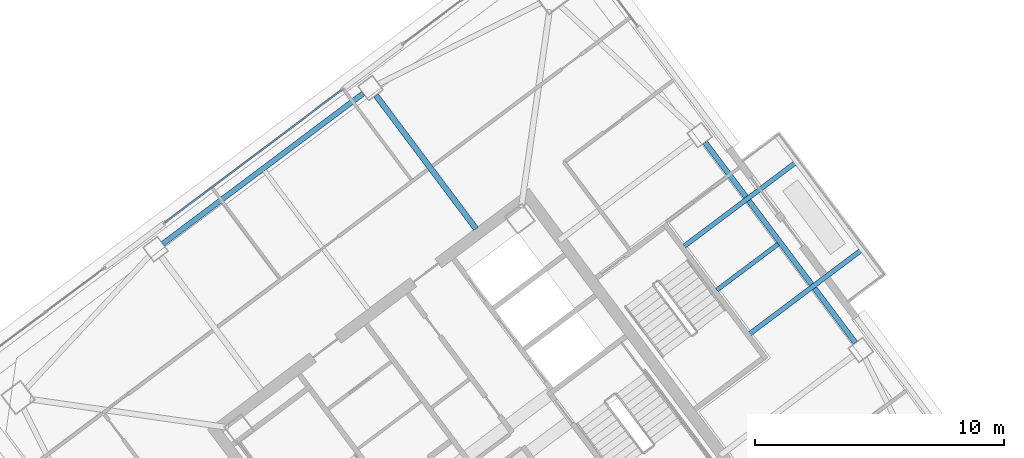
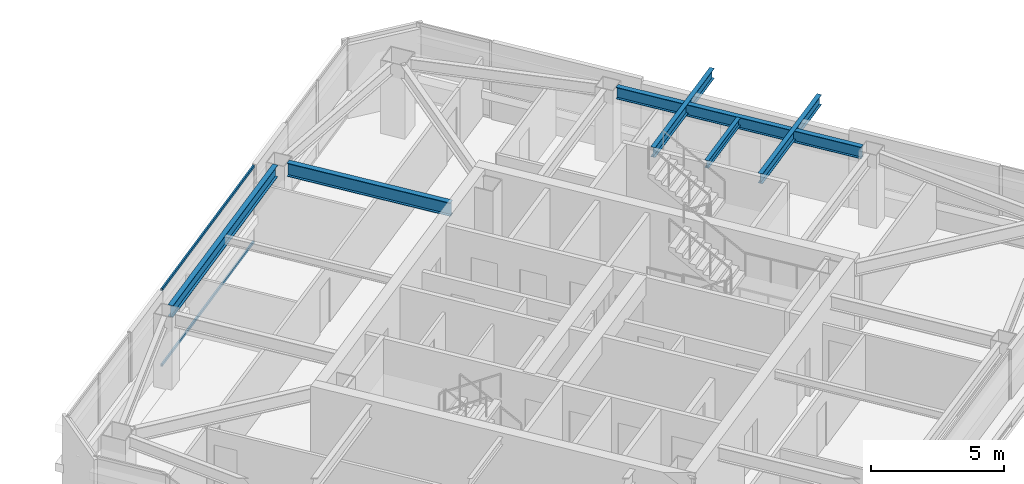
# One storey, part 24 of 39: 6 beams, 2 members, 1 element without a shape of its own.
"""IFC4 building model written with IfcOpenShell, lengths in metres."""

from ifc_helpers import new_model, si_unit, direction, frame, origin, origin_2d, place, context, subcontext, project, spatial, hollow_rectangle, i_section, extrude, material, material_profile, profile_set, type_object, element, aggregate, save


model = new_model("IFC4")

# Units and contexts
model_context = context("Model", 3, precision=1e-05, world=origin(), true_north=direction((0.0, 1.0)))
body_context = subcontext(model_context, "Body", "Model", "MODEL_VIEW")
ifc_project = project(units=[si_unit("LENGTHUNIT", "METRE"), si_unit("AREAUNIT", "SQUARE_METRE"), si_unit("VOLUMEUNIT", "CUBIC_METRE"), si_unit("PLANEANGLEUNIT", "RADIAN"), si_unit("MASSUNIT", "GRAM", prefix="KILO")], contexts=[model_context])

# Site, building, storey
site_placement = place(None, origin())
site = spatial("IfcSite", under=ifc_project, at=site_placement, CompositionType="ELEMENT")
building_placement = place(site_placement, origin())
building = spatial("IfcBuilding", under=site, at=building_placement, Name="Tashvorn Skyway Center", CompositionType="ELEMENT")
storey_placement = place(building_placement, frame((0.0, 0.0, 214.85009765625)))
storey = spatial("IfcBuildingStorey", under=building, at=storey_placement, Name="L58", CompositionType="ELEMENT", Elevation=214.85009765625)

# Beams
ifc_material_1 = material(Name="Steel ASTM A992 Grade 50", Category="steel")
ifc_material_profile_1 = material_profile(ifc_material_1, i_section(OverallWidth=0.22998046875, OverallDepth=0.616943359375, WebThickness=0.01318359375, FlangeThickness=0.022216796875, at=origin_2d()), Name="W24X94")
ifc_profile_set_1 = profile_set([ifc_material_profile_1], Name="Steel ASTM A992 Grade 50")
beam_type_1 = type_object("IfcBeamType", Name="BM-BEAM-W24X94", PredefinedType="BEAM", material=ifc_profile_set_1)
beam_1_placement = place(storey_placement, frame((109.632080078125, 46.823974609375, 3.0615234375), z_axis=(0.600011660554, -0.799991254452, 0.0), x_axis=(0.799991254452, 0.600011660554, 0.0)))
element("IfcBeam", 1, at=beam_1_placement, inside=storey, type_object=beam_type_1, Name="Tower 2 L58 Primary Floor Girder FC-N1", PredefinedType="BEAM", context=body_context, shape_type="SweptSolid", body=[
    extrude(i_section(OverallWidth=0.22998046875, OverallDepth=0.616943359375, WebThickness=0.01318359375, FlangeThickness=0.022216796875, at=origin_2d()), origin(), (0.0, 0.0, 1.0), 6.699951171875),
])
ifc_material_profile_2 = material_profile(ifc_material_1, i_section(OverallWidth=0.1708984375, OverallDepth=0.35498046875, WebThickness=0.007080078125, FlangeThickness=0.01171875, at=origin_2d()), Name="W14X34")
ifc_profile_set_2 = profile_set([ifc_material_profile_2], Name="Steel ASTM A992 Grade 50")
beam_type_2 = type_object("IfcBeamType", Name="BM-JOIST-W14X34", PredefinedType="JOIST", material=ifc_profile_set_2)
beam_2_placement = place(storey_placement, frame((123.3359375, 39.001953125, 3.1923828125), z_axis=(0.799990496003, 0.600012671787, 0.0), x_axis=(-0.600012671787, 0.799990496003, 0.0)))
element("IfcBeam", 2, at=beam_2_placement, inside=storey, type_object=beam_type_2, Name="Tower 2 L58 Secondary Composite Joist JE", PredefinedType="JOIST", context=body_context, shape_type="SweptSolid", body=[
    extrude(i_section(OverallWidth=0.1708984375, OverallDepth=0.35498046875, WebThickness=0.007080078125, FlangeThickness=0.01171875, at=origin_2d()), origin(), (0.0, 0.0, 1.0), 3.08251953125),
])
ifc_material_profile_3 = material_profile(ifc_material_1, i_section(OverallWidth=0.19091796875, OverallDepth=0.4599609375, WebThickness=0.010009765625, FlangeThickness=0.01611328125, at=origin_2d()), Name="W18X55")
ifc_profile_set_3 = profile_set([ifc_material_profile_3], Name="Steel ASTM A992 Grade 50")
beam_type_3 = type_object("IfcBeamType", Name="BM-JOIST-W18X55", PredefinedType="JOIST", material=ifc_profile_set_3)
for number, where, z_axis, x_axis, name in (
    (3, (124.656005859375, 37.241943359375, 3.139892578125), (0.8, 0.6, 0.0), (-0.6, 0.8, 0.0), "Tower 2 L59 Terrace Cantilever Outlooker 1"),
    (4, (122.01611328125, 40.761962890625, 3.139892578125), (0.8, 0.6, 0.0), (-0.6, 0.8, 0.0), "Tower 2 L59 Terrace Cantilever Outlooker 2"),
):
    element("IfcBeam", number, at=place(storey_placement, frame(where, z_axis=z_axis, x_axis=x_axis)), inside=storey, type_object=beam_type_3, Name=name, PredefinedType="JOIST", context=body_context, shape_type="SweptSolid", body=[
        extrude(i_section(OverallWidth=0.19091796875, OverallDepth=0.4599609375, WebThickness=0.010009765625, FlangeThickness=0.01611328125, at=origin_2d()), origin(), (0.0, 0.0, 1.0), 5.679931640625),
    ])
ifc_material_profile_4 = material_profile(ifc_material_1, i_section(OverallWidth=0.2109375, OverallDepth=0.5390625, WebThickness=0.01171875, FlangeThickness=0.018798828125, at=origin_2d()), Name="W21X73")
ifc_profile_set_4 = profile_set([ifc_material_profile_4], Name="Steel ASTM A992 Grade 50")
beam_type_4 = type_object("IfcBeamType", Name="BM-SPANDREL-W21X73", PredefinedType="SPANDREL", material=ifc_profile_set_4)
for number, where, z_axis, x_axis, name in (
    (5, (128.89794921875, 36.885986328125, 3.100341796875), (-0.599988351091, 0.800008736549, 0.0), (-0.800008736549, -0.599988351091, 0.0), "Tower 2 L58 Spandrel Beam 05"),
    (6, (109.114013671875, 46.89794921875, 3.100341796875), (-0.800008736549, -0.599988351091, 0.0), (0.599988351091, -0.800008736549, 0.0), "Tower 2 L58 Spandrel Beam 08"),
):
    element("IfcBeam", number, at=place(storey_placement, frame(where, z_axis=z_axis, x_axis=x_axis)), inside=storey, type_object=beam_type_4, Name=name, PredefinedType="SPANDREL", context=body_context, shape_type="SweptSolid", body=[
        extrude(i_section(OverallWidth=0.2109375, OverallDepth=0.5390625, WebThickness=0.01171875, FlangeThickness=0.018798828125, at=origin_2d()), origin(), (0.0, 0.0, 1.0), 10.06005859375),
    ])

# Curtain wall, members
ifc_material_2 = material(Name="Thermally broken bronze-anodized aluminium 6063-T6", Category="aluminium")
curtain_wall_type = type_object("IfcCurtainWallType", Name="CW-CW-Z5", PredefinedType="NOTDEFINED", material=ifc_material_2)
curtain_wall_placement = place(storey_placement, origin())
curtain_wall = element("IfcCurtainWall", 7, at=curtain_wall_placement, inside=storey, type_object=curtain_wall_type, Name="Tower 2 L58 North Unitised Curtain Wall Glazing Group 2", PredefinedType="NOTDEFINED")
ifc_material_profile_5 = material_profile(ifc_material_2, hollow_rectangle(XDim=0.070068359375, YDim=0.114990234375, WallThickness=0.00390625, at=origin_2d()), Name="ALU-TRAN-70x115")
ifc_profile_set_5 = profile_set([ifc_material_profile_5], Name="Thermally broken bronze-anodized aluminium 6063-T6")
member_type = type_object("IfcMemberType", Name="CWT-CW-Z5", PredefinedType="USERDEFINED", material=ifc_profile_set_5)
member_1_placement = place(storey_placement, frame((101.17333984375, 41.72998046875, 0.034912109375), z_axis=(0.799996688401, 0.600004415441, 0.0), x_axis=(-0.600004415441, 0.799996688401, 0.0)))
member_1 = element("IfcMember", 8, at=member_1_placement, type_object=member_type, Name="CW-Z5 transom 1.1", ObjectType="TRANSOM", PredefinedType="USERDEFINED", context=body_context, shape_type="SweptSolid", body=[
    extrude(hollow_rectangle(XDim=0.070068359375, YDim=0.114990234375, WallThickness=0.00390625, at=origin_2d()), origin(), (0.0, 0.0, 1.0), 8.8466796875),
])
member_2_placement = place(storey_placement, frame((101.17333984375, 41.72998046875, 3.514892578125), z_axis=(0.799996688401, 0.600004415441, 0.0), x_axis=(-0.600004415441, 0.799996688401, 0.0)))
member_2 = element("IfcMember", 9, at=member_2_placement, type_object=member_type, Name="CW-Z5 transom 1.2", ObjectType="TRANSOM", PredefinedType="USERDEFINED", context=body_context, shape_type="SweptSolid", body=[
    extrude(hollow_rectangle(XDim=0.070068359375, YDim=0.114990234375, WallThickness=0.00390625, at=origin_2d()), origin(), (0.0, 0.0, 1.0), 8.8466796875),
])
aggregate(curtain_wall, [member_1, member_2])

save(model, "model.ifc")
